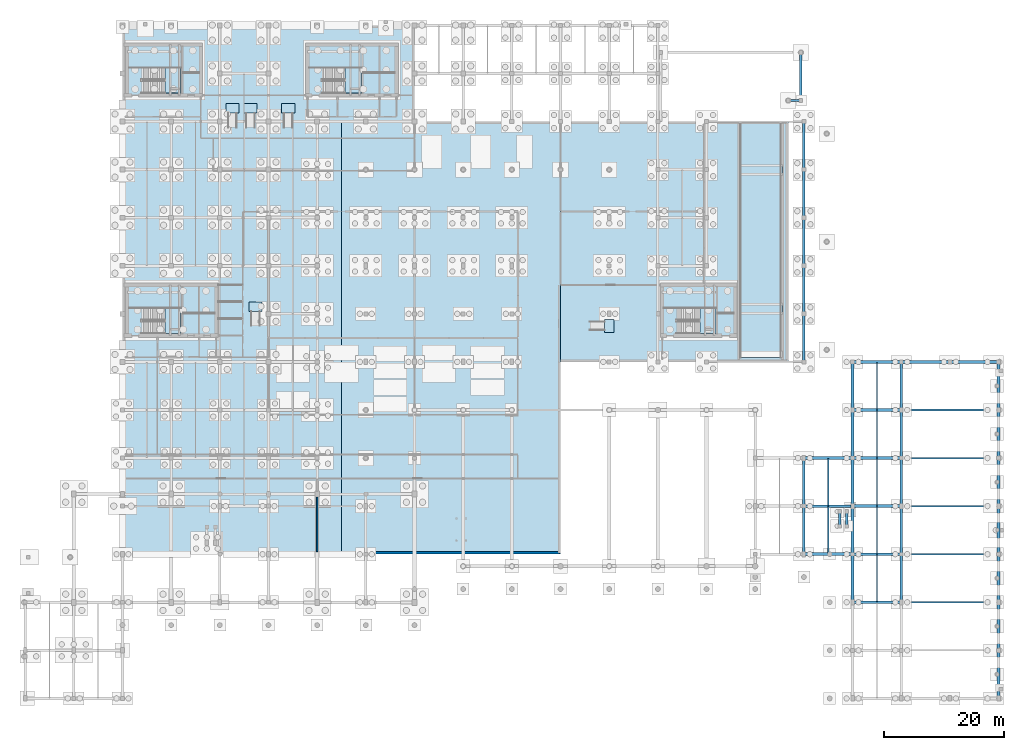
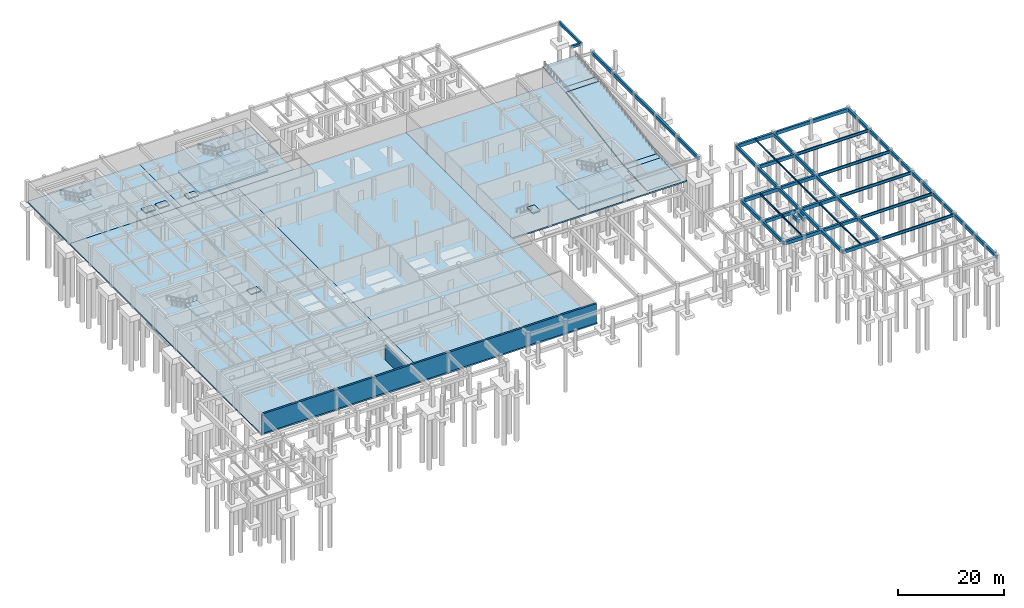
# One storey, part 13 of 25: 51 beams, 23 slabs, 2 walls, 9 elements without a shape of their own.
"""IFC4 building model written with IfcOpenShell, lengths in metres."""

from ifc_helpers import new_model, si_unit, direction, frame, frame_2d, origin, origin_2d, place, context, subcontext, project, spatial, polyline, rectangle, i_section, outline, extrude, material, layer, layer_set, material_profile, profile_set, type_object, element, aggregate, save


model = new_model("IFC4")

# Units and contexts
model_context = context("Model", 3, precision=1e-05, world=origin(), true_north=direction((0.0, 1.0)))
body_context = subcontext(model_context, "Body", "Model", "MODEL_VIEW")
ifc_project = project(units=[si_unit("LENGTHUNIT", "METRE"), si_unit("AREAUNIT", "SQUARE_METRE"), si_unit("VOLUMEUNIT", "CUBIC_METRE"), si_unit("PLANEANGLEUNIT", "RADIAN"), si_unit("MASSUNIT", "GRAM", prefix="KILO")], contexts=[model_context])

# Site, building, storey
site_placement = place(None, origin())
site = spatial("IfcSite", under=ifc_project, at=site_placement, CompositionType="ELEMENT")
building_placement = place(site_placement, origin())
building = spatial("IfcBuilding", under=site, at=building_placement, Name="Tarnveldt Square Police Headquarters", CompositionType="ELEMENT")
storey_placement = place(building_placement, frame((0.0, 0.0, -4.800048828125)))
storey = spatial("IfcBuildingStorey", under=building, at=storey_placement, Name="B1", CompositionType="ELEMENT", Elevation=-4.800048828125)

# Beams
ifc_material_1 = material(Name="Concrete 40 MPa", Category="concrete")
ifc_material_profile_1 = material_profile(ifc_material_1, rectangle(XDim=0.39990234375, YDim=0.60009765625, at=origin_2d()), Name="RC-B400x600")
ifc_profile_set_1 = profile_set([ifc_material_profile_1], Name="Concrete 40 MPa")
beam_type_1 = type_object("IfcBeamType", Name="BM-RC400x600", PredefinedType="BEAM", material=ifc_profile_set_1)
beam_1_placement = place(storey_placement, frame((129.10009765625, 99.5, 4.2099609375), z_axis=(0.0, 1.0, 0.0), x_axis=(-1.0, 0.0, 0.0)))
element("IfcBeam", 1, at=beam_1_placement, inside=storey, type_object=beam_type_1, Name="Apron Support Girder E", PredefinedType="BEAM", context=body_context, shape_type="SweptSolid", body=[
    extrude(rectangle(XDim=0.39990234375, YDim=0.60009765625, at=origin_2d()), origin(), (0.0, 0.0, 1.0), 8.0),
])
beam_2_placement = place(storey_placement, frame((127.0, 99.5, 4.2099609375), z_axis=(1.0, 0.0, 0.0), x_axis=(0.0, 1.0, 0.0)))
element("IfcBeam", 2, at=beam_2_placement, inside=storey, type_object=beam_type_1, Name="Apron Support Girder S", PredefinedType="BEAM", context=body_context, shape_type="SweptSolid", body=[
    extrude(rectangle(XDim=0.39990234375, YDim=0.60009765625, at=origin_2d()), origin(), (0.0, 0.0, 1.0), 2.10009765625),
])
ifc_material_profile_2 = material_profile(ifc_material_1, rectangle(XDim=0.449951171875, YDim=0.75, at=origin_2d()), Name="RC-B450x750")
ifc_profile_set_2 = profile_set([ifc_material_profile_2], Name="Concrete 40 MPa")
beam_type_2 = type_object("IfcBeamType", Name="BM-RC450x750", PredefinedType="BEAM", material=ifc_profile_set_2)
for number, where, z_axis, x_axis, name in (
    (3, (137.699951171875, 16.0, 4.074951171875), (1.0, 0.0, 0.0), (0.0, 1.0, 0.0), "L00 Grid Girder X-0018"),
    (4, (137.699951171875, 24.0, 4.074951171875), (1.0, 0.0, 0.0), (0.0, 1.0, 0.0), "L00 Grid Girder X-0028"),
):
    element("IfcBeam", number, at=place(storey_placement, frame(where, z_axis=z_axis, x_axis=x_axis)), inside=storey, type_object=beam_type_2, Name=name, PredefinedType="BEAM", context=body_context, shape_type="SweptSolid", body=[
        extrude(rectangle(XDim=0.449951171875, YDim=0.75, at=origin_2d()), origin(), (0.0, 0.0, 1.0), 8.10009765625),
    ])
beam_3_placement = place(storey_placement, frame((129.60009765625, 32.0, 4.074951171875), z_axis=(1.0, 0.0, 0.0), x_axis=(0.0, 1.0, 0.0)))
element("IfcBeam", 5, at=beam_3_placement, inside=storey, type_object=beam_type_2, Name="L00 Grid Girder X-0034", PredefinedType="BEAM", context=body_context, shape_type="SweptSolid", body=[
    extrude(rectangle(XDim=0.449951171875, YDim=0.75, at=origin_2d()), origin(), (0.0, 0.0, 1.0), 8.099853515625),
])
for number, where, z_axis, x_axis, name in (
    (6, (137.699951171875, 40.0, 4.074951171875), (1.0, 0.0, 0.0), (0.0, 1.0, 0.0), "L00 Grid Girder X-0050"),
    (7, (137.699951171875, 48.0, 4.074951171875), (1.0, 0.0, 0.0), (0.0, 1.0, 0.0), "L00 Grid Girder X-0062"),
):
    element("IfcBeam", number, at=place(storey_placement, frame(where, z_axis=z_axis, x_axis=x_axis)), inside=storey, type_object=beam_type_2, Name=name, PredefinedType="BEAM", context=body_context, shape_type="SweptSolid", body=[
        extrude(rectangle(XDim=0.449951171875, YDim=0.75, at=origin_2d()), origin(), (0.0, 0.0, 1.0), 8.10009765625),
    ])
beam_4_placement = place(storey_placement, frame((145.800048828125, 56.0, 4.074951171875), z_axis=(1.0, 0.0, 0.0), x_axis=(0.0, 1.0, 0.0)))
element("IfcBeam", 8, at=beam_4_placement, inside=storey, type_object=beam_type_2, Name="L00 Grid Girder X-0070", PredefinedType="BEAM", context=body_context, shape_type="SweptSolid", body=[
    extrude(rectangle(XDim=0.449951171875, YDim=0.75, at=origin_2d()), origin(), (0.0, 0.0, 1.0), 8.099853515625),
])
for number, where, z_axis, x_axis, name in (
    (9, (129.60009765625, 24.0, 4.074951171875), (0.0, 1.0, 0.0), (-1.0, 0.0, 0.0), "L00 Grid Girder Y-0190"),
    (10, (129.60009765625, 32.0, 4.074951171875), (0.0, 1.0, 0.0), (-1.0, 0.0, 0.0), "L00 Grid Girder Y-0191"),
    (11, (129.60009765625, 56.0, 4.074951171875), (0.0, 1.0, 0.0), (-1.0, 0.0, 0.0), "L00 Grid Girder Y-0192"),
    (12, (129.60009765625, 64.0, 4.074951171875), (0.0, 1.0, 0.0), (-1.0, 0.0, 0.0), "L00 Grid Girder Y-0193"),
    (13, (129.60009765625, 72.0, 4.074951171875), (0.0, 1.0, 0.0), (-1.0, 0.0, 0.0), "L00 Grid Girder Y-0194"),
    (14, (129.60009765625, 80.0, 4.074951171875), (0.0, 1.0, 0.0), (-1.0, 0.0, 0.0), "L00 Grid Girder Y-0195"),
    (15, (129.60009765625, 88.0, 4.074951171875), (0.0, 1.0, 0.0), (-1.0, 0.0, 0.0), "L00 Grid Girder Y-0196"),
):
    element("IfcBeam", number, at=place(storey_placement, frame(where, z_axis=z_axis, x_axis=x_axis)), inside=storey, type_object=beam_type_2, Name=name, PredefinedType="BEAM", context=body_context, shape_type="SweptSolid", body=[
        extrude(rectangle(XDim=0.449951171875, YDim=0.75, at=origin_2d()), origin(), (0.0, 0.0, 1.0), 8.0),
    ])
for number, where, z_axis, x_axis, name in (
    (16, (135.550048828125, 28.679931640625, 4.074951171875), (0.0, 1.0, 0.0), (-1.0, 0.0, 0.0), "L00 Grid Girder Y-0197"),
    (17, (136.75, 28.679931640625, 4.074951171875), (0.0, 1.0, 0.0), (-1.0, 0.0, 0.0), "L00 Grid Girder Y-0198"),
):
    element("IfcBeam", number, at=place(storey_placement, frame(where, z_axis=z_axis, x_axis=x_axis)), inside=storey, type_object=beam_type_2, Name=name, PredefinedType="BEAM", context=body_context, shape_type="SweptSolid", body=[
        extrude(rectangle(XDim=0.449951171875, YDim=0.75, at=origin_2d()), origin(), (0.0, 0.0, 1.0), 2.420166015625),
    ])
for number, where, z_axis, x_axis, name in (
    (18, (137.699951171875, 16.0, 4.074951171875), (0.0, 1.0, 0.0), (-1.0, 0.0, 0.0), "L00 Grid Girder Y-0201"),
    (19, (137.699951171875, 24.0, 4.074951171875), (0.0, 1.0, 0.0), (-1.0, 0.0, 0.0), "L00 Grid Girder Y-0202"),
    (20, (137.699951171875, 32.0, 4.074951171875), (0.0, 1.0, 0.0), (-1.0, 0.0, 0.0), "L00 Grid Girder Y-0203"),
    (21, (137.699951171875, 40.0, 4.074951171875), (0.0, 1.0, 0.0), (-1.0, 0.0, 0.0), "L00 Grid Girder Y-0204"),
    (22, (137.699951171875, 48.0, 4.074951171875), (0.0, 1.0, 0.0), (-1.0, 0.0, 0.0), "L00 Grid Girder Y-0205"),
    (23, (145.800048828125, 16.0, 4.074951171875), (0.0, 1.0, 0.0), (-1.0, 0.0, 0.0), "L00 Grid Girder Y-0208"),
    (24, (145.800048828125, 24.0, 4.074951171875), (0.0, 1.0, 0.0), (-1.0, 0.0, 0.0), "L00 Grid Girder Y-0209"),
    (25, (145.800048828125, 32.0, 4.074951171875), (0.0, 1.0, 0.0), (-1.0, 0.0, 0.0), "L00 Grid Girder Y-0210"),
    (26, (145.800048828125, 40.0, 4.074951171875), (0.0, 1.0, 0.0), (-1.0, 0.0, 0.0), "L00 Grid Girder Y-0211"),
    (27, (145.800048828125, 48.0, 4.074951171875), (0.0, 1.0, 0.0), (-1.0, 0.0, 0.0), "L00 Grid Girder Y-0212"),
    (28, (162.0, 0.0, 4.074951171875), (0.0, 1.0, 0.0), (-1.0, 0.0, 0.0), "L00 Grid Girder Y-0213"),
    (29, (162.0, 8.0, 4.074951171875), (0.0, 1.0, 0.0), (-1.0, 0.0, 0.0), "L00 Grid Girder Y-0214"),
    (30, (162.0, 16.0, 4.074951171875), (0.0, 1.0, 0.0), (-1.0, 0.0, 0.0), "L00 Grid Girder Y-0215"),
    (31, (162.0, 24.0, 4.074951171875), (0.0, 1.0, 0.0), (-1.0, 0.0, 0.0), "L00 Grid Girder Y-0216"),
    (32, (162.0, 32.0, 4.074951171875), (0.0, 1.0, 0.0), (-1.0, 0.0, 0.0), "L00 Grid Girder Y-0217"),
    (33, (162.0, 40.0, 4.074951171875), (0.0, 1.0, 0.0), (-1.0, 0.0, 0.0), "L00 Grid Girder Y-0218"),
    (34, (162.0, 48.0, 4.074951171875), (0.0, 1.0, 0.0), (-1.0, 0.0, 0.0), "L00 Grid Girder Y-0219"),
):
    element("IfcBeam", number, at=place(storey_placement, frame(where, z_axis=z_axis, x_axis=x_axis)), inside=storey, type_object=beam_type_2, Name=name, PredefinedType="BEAM", context=body_context, shape_type="SweptSolid", body=[
        extrude(rectangle(XDim=0.449951171875, YDim=0.75, at=origin_2d()), origin(), (0.0, 0.0, 1.0), 8.0),
    ])
ifc_material_profile_3 = material_profile(ifc_material_1, rectangle(XDim=0.5, YDim=0.800048828125, at=origin_2d()), Name="RC-B500x800")
ifc_profile_set_3 = profile_set([ifc_material_profile_3], Name="Concrete 40 MPa")
beam_type_3 = type_object("IfcBeamType", Name="BM-RC500x800", PredefinedType="BEAM", material=ifc_profile_set_3)
beam_5_placement = place(storey_placement, frame((129.60009765625, 24.0, 4.050048828125), z_axis=(1.0, 0.0, 0.0), x_axis=(0.0, 1.0, 0.0)))
element("IfcBeam", 35, at=beam_5_placement, inside=storey, type_object=beam_type_3, Name="L00 Grid Girder X-0027", PredefinedType="BEAM", context=body_context, shape_type="SweptSolid", body=[
    extrude(rectangle(XDim=0.5, YDim=0.800048828125, at=origin_2d()), origin(), (0.0, 0.0, 1.0), 8.099853515625),
])
beam_6_placement = place(storey_placement, frame((137.699951171875, 32.0, 4.050048828125), z_axis=(1.0, 0.0, 0.0), x_axis=(0.0, 1.0, 0.0)))
element("IfcBeam", 36, at=beam_6_placement, inside=storey, type_object=beam_type_3, Name="L00 Grid Girder X-0035", PredefinedType="BEAM", context=body_context, shape_type="SweptSolid", body=[
    extrude(rectangle(XDim=0.5, YDim=0.800048828125, at=origin_2d()), origin(), (0.0, 0.0, 1.0), 8.10009765625),
])
beam_7_placement = place(storey_placement, frame((129.60009765625, 40.0, 4.050048828125), z_axis=(1.0, 0.0, 0.0), x_axis=(0.0, 1.0, 0.0)))
element("IfcBeam", 37, at=beam_7_placement, inside=storey, type_object=beam_type_3, Name="L00 Grid Girder X-0049", PredefinedType="BEAM", context=body_context, shape_type="SweptSolid", body=[
    extrude(rectangle(XDim=0.5, YDim=0.800048828125, at=origin_2d()), origin(), (0.0, 0.0, 1.0), 8.099853515625),
])
for number, where, z_axis, x_axis, name in (
    (38, (137.699951171875, 56.0, 4.050048828125), (1.0, 0.0, 0.0), (0.0, 1.0, 0.0), "L00 Grid Girder X-0069"),
    (39, (153.89990234375, 56.0, 4.050048828125), (1.0, 0.0, 0.0), (0.0, 1.0, 0.0), "L00 Grid Girder X-0071"),
):
    element("IfcBeam", number, at=place(storey_placement, frame(where, z_axis=z_axis, x_axis=x_axis)), inside=storey, type_object=beam_type_3, Name=name, PredefinedType="BEAM", context=body_context, shape_type="SweptSolid", body=[
        extrude(rectangle(XDim=0.5, YDim=0.800048828125, at=origin_2d()), origin(), (0.0, 0.0, 1.0), 8.10009765625),
    ])
ifc_material_2 = material(Name="Steel 350W", Category="steel")
ifc_material_profile_4 = material_profile(ifc_material_2, i_section(OverallWidth=0.202880859375, OverallDepth=0.302978515625, WebThickness=0.007568359375, FlangeThickness=0.01318359375, FilletRadius=0.014892578125, at=origin_2d()), Name="W310x60")
ifc_profile_set_4 = profile_set([ifc_material_profile_4], Name="Steel 350W")
beam_type_4 = type_object("IfcBeamType", Name="BM-W310x60", PredefinedType="JOIST", material=ifc_profile_set_4)
beam_8_placement = place(storey_placement, frame((141.75, 48.080078125, 4.298583984375), z_axis=(0.0, 1.0, 0.0), x_axis=(-1.0, 0.0, 0.0)))
element("IfcBeam", 40, at=beam_8_placement, inside=storey, type_object=beam_type_4, Name="L00 Secondary Floor Joist 0024", PredefinedType="JOIST", context=body_context, shape_type="SweptSolid", body=[
    extrude(i_section(OverallWidth=0.202880859375, OverallDepth=0.302978515625, WebThickness=0.007568359375, FlangeThickness=0.01318359375, FilletRadius=0.014892578125, at=origin_2d()), origin(), (0.0, 0.0, 1.0), 7.83984375),
])
ifc_material_profile_5 = material_profile(ifc_material_2, i_section(OverallWidth=0.202880859375, OverallDepth=0.346923828125, WebThickness=0.0078125, FlangeThickness=0.013427734375, FilletRadius=0.01611328125, at=origin_2d()), Name="W360x64")
ifc_profile_set_5 = profile_set([ifc_material_profile_5], Name="Steel 350W")
beam_type_5 = type_object("IfcBeamType", Name="BM-W360x64", PredefinedType="JOIST", material=ifc_profile_set_5)
for number, where, z_axis, x_axis, name in (
    (41, (141.75, 16.080078125, 4.276611328125), (0.0, 1.0, 0.0), (-1.0, 0.0, 0.0), "L00 Secondary Floor Joist 0007"),
    (42, (141.75, 40.080078125, 4.276611328125), (0.0, 1.0, 0.0), (-1.0, 0.0, 0.0), "L00 Secondary Floor Joist 0019"),
):
    element("IfcBeam", number, at=place(storey_placement, frame(where, z_axis=z_axis, x_axis=x_axis)), inside=storey, type_object=beam_type_5, Name=name, PredefinedType="JOIST", context=body_context, shape_type="SweptSolid", body=[
        extrude(i_section(OverallWidth=0.202880859375, OverallDepth=0.346923828125, WebThickness=0.0078125, FlangeThickness=0.013427734375, FilletRadius=0.01611328125, at=origin_2d()), origin(), (0.0, 0.0, 1.0), 7.83984375),
    ])
ifc_material_profile_6 = material_profile(ifc_material_2, i_section(OverallWidth=0.205078125, OverallDepth=0.35400390625, WebThickness=0.009521484375, FlangeThickness=0.016845703125, FilletRadius=0.01611328125, at=origin_2d()), Name="W360x79")
ifc_profile_set_6 = profile_set([ifc_material_profile_6], Name="Steel 350W")
beam_type_6 = type_object("IfcBeamType", Name="BM-W360x79", PredefinedType="JOIST", material=ifc_profile_set_6)
for number, where, z_axis, x_axis, name in (
    (43, (141.75, 24.080078125, 4.27294921875), (0.0, 1.0, 0.0), (-1.0, 0.0, 0.0), "L00 Secondary Floor Joist 0010"),
    (44, (141.75, 32.080078125, 4.27294921875), (0.0, 1.0, 0.0), (-1.0, 0.0, 0.0), "L00 Secondary Floor Joist 0014"),
):
    element("IfcBeam", number, at=place(storey_placement, frame(where, z_axis=z_axis, x_axis=x_axis)), inside=storey, type_object=beam_type_6, Name=name, PredefinedType="JOIST", context=body_context, shape_type="SweptSolid", body=[
        extrude(i_section(OverallWidth=0.205078125, OverallDepth=0.35400390625, WebThickness=0.009521484375, FlangeThickness=0.016845703125, FilletRadius=0.01611328125, at=origin_2d()), origin(), (0.0, 0.0, 1.0), 7.83984375),
    ])
ifc_material_profile_7 = material_profile(ifc_material_2, i_section(OverallWidth=0.177978515625, OverallDepth=0.406982421875, WebThickness=0.0078125, FlangeThickness=0.0126953125, FilletRadius=0.01611328125, at=origin_2d()), Name="W410x60")
ifc_profile_set_7 = profile_set([ifc_material_profile_7], Name="Steel 350W")
beam_type_7 = type_object("IfcBeamType", Name="BM-W410x60", PredefinedType="JOIST", material=ifc_profile_set_7)
for number, where, z_axis, x_axis, name in (
    (45, (133.64990234375, 24.080078125, 4.24658203125), (0.0, 1.0, 0.0), (-1.0, 0.0, 0.0), "L00 Secondary Floor Joist 0009"),
    (46, (133.64990234375, 32.080078125, 4.24658203125), (0.0, 1.0, 0.0), (-1.0, 0.0, 0.0), "L00 Secondary Floor Joist 0013"),
):
    element("IfcBeam", number, at=place(storey_placement, frame(where, z_axis=z_axis, x_axis=x_axis)), inside=storey, type_object=beam_type_7, Name=name, PredefinedType="JOIST", context=body_context, shape_type="SweptSolid", body=[
        extrude(i_section(OverallWidth=0.177978515625, OverallDepth=0.406982421875, WebThickness=0.0078125, FlangeThickness=0.0126953125, FilletRadius=0.01611328125, at=origin_2d()), origin(), (0.0, 0.0, 1.0), 7.83984375),
    ])
ifc_material_profile_8 = material_profile(ifc_material_2, i_section(OverallWidth=0.25390625, OverallDepth=0.68798828125, WebThickness=0.01318359375, FlangeThickness=0.02099609375, FilletRadius=0.02001953125, at=origin_2d()), Name="W690x152")
ifc_profile_set_8 = profile_set([ifc_material_profile_8], Name="Steel 350W")
beam_type_8 = type_object("IfcBeamType", Name="BM-W690x152", PredefinedType="BEAM", material=ifc_profile_set_8)
for number, where, z_axis, x_axis, name in (
    (47, (145.800048828125, 16.0, 4.10595703125), (1.0, 0.0, 0.0), (0.0, 1.0, 0.0), "L00 Grid Girder X-0019"),
    (48, (145.800048828125, 24.0, 4.10595703125), (1.0, 0.0, 0.0), (0.0, 1.0, 0.0), "L00 Grid Girder X-0029"),
    (49, (145.800048828125, 32.0, 4.10595703125), (1.0, 0.0, 0.0), (0.0, 1.0, 0.0), "L00 Grid Girder X-0036"),
    (50, (145.800048828125, 40.0, 4.10595703125), (1.0, 0.0, 0.0), (0.0, 1.0, 0.0), "L00 Grid Girder X-0051"),
    (51, (145.800048828125, 48.0, 4.10595703125), (1.0, 0.0, 0.0), (0.0, 1.0, 0.0), "L00 Grid Girder X-0063"),
):
    element("IfcBeam", number, at=place(storey_placement, frame(where, z_axis=z_axis, x_axis=x_axis)), inside=storey, type_object=beam_type_8, Name=name, PredefinedType="BEAM", context=body_context, shape_type="SweptSolid", body=[
        extrude(i_section(OverallWidth=0.25390625, OverallDepth=0.68798828125, WebThickness=0.01318359375, FlangeThickness=0.02099609375, FilletRadius=0.02001953125, at=origin_2d()), origin(), (0.0, 0.0, 1.0), 16.199951171875),
    ])

# Slabs
ifc_layer_1 = layer(ifc_material_1, 0.320068359375)
ifc_layer_set_1 = layer_set([ifc_layer_1], Name="Concrete 40 MPa")
slab_type_1 = type_object("IfcSlabType", Name="SL-B1-320", PredefinedType="BASESLAB", material=ifc_layer_set_1)
slab_1_placement = place(storey_placement, frame((0.0, 0.0, -0.320068359375)))
element("IfcSlab", 52, at=slab_1_placement, inside=storey, type_object=slab_type_1, Name="B1 Structural Floor Slab B1-WEST-1", PredefinedType="BASESLAB", context=body_context, shape_type="SweptSolid", body=[
    extrude(outline(polyline([(52.64990234375, 96.0), (52.64990234375, 24.0), (16.199951171875, 24.0), (16.199951171875, 96.0), (52.64990234375, 96.0)])), origin(), (0.0, 0.0, 1.0), 0.320068359375),
])
slab_2_placement = place(storey_placement, frame((0.0, 0.0, -0.320068359375)))
element("IfcSlab", 53, at=slab_2_placement, inside=storey, type_object=slab_type_1, Name="B1 Structural Floor Slab B1-WEST-2", PredefinedType="BASESLAB", context=body_context, shape_type="SweptSolid", body=[
    extrude(outline(polyline([(89.10009765625, 96.0), (89.10009765625, 24.0), (52.64990234375, 24.0), (52.64990234375, 96.0), (89.10009765625, 96.0)])), origin(), (0.0, 0.0, 1.0), 0.320068359375),
])
slab_3_placement = place(storey_placement, frame((0.0, 0.0, -0.320068359375)))
element("IfcSlab", 54, at=slab_3_placement, inside=storey, type_object=slab_type_1, Name="B1 Structural Floor Slab B1-NORTH-1", PredefinedType="BASESLAB", context=body_context, shape_type="SweptSolid", body=[
    extrude(outline(polyline([(16.199951171875, 96.0), (16.199951171875, 112.0), (40.5, 112.0), (40.5, 96.0), (16.199951171875, 96.0)])), origin(), (0.0, 0.0, 1.0), 0.320068359375),
])
slab_4_placement = place(storey_placement, frame((0.0, 0.0, -0.320068359375)))
element("IfcSlab", 55, at=slab_4_placement, inside=storey, type_object=slab_type_1, Name="B1 Structural Floor Slab B1-NORTH-2", PredefinedType="BASESLAB", context=body_context, shape_type="SweptSolid", body=[
    extrude(outline(polyline([(64.800048828125, 96.0), (40.5, 96.0), (40.5, 112.0), (64.800048828125, 112.0), (64.800048828125, 96.0)])), origin(), (0.0, 0.0, 1.0), 0.320068359375),
])
slab_5_placement = place(storey_placement, frame((0.0, 0.0, -0.320068359375)))
element("IfcSlab", 56, at=slab_5_placement, inside=storey, type_object=slab_type_1, Name="B1 Structural Floor Slab B1-NE-1", PredefinedType="BASESLAB", context=body_context, shape_type="SweptSolid", body=[
    extrude(outline(polyline([(89.10009765625, 56.0), (89.10009765625, 96.0), (127.0, 96.0), (127.0, 56.0), (89.10009765625, 56.0)]), holes=[polyline([(118.780029296875, 64.1201171875), (118.780029296875, 56.719970703125), (126.02001953125, 56.719970703125), (126.02001953125, 64.1201171875), (118.780029296875, 64.1201171875)])]), origin(), (0.0, 0.0, 1.0), 0.320068359375),
])

# Stair, slab
stair_type_1 = type_object("IfcStairType", Name="STR-HT-48A", PredefinedType="HALF_TURN_STAIR", material=ifc_material_1)
stair_1_placement = place(storey_placement, origin())
stair_1 = element("IfcStair", 57, at=stair_1_placement, inside=storey, type_object=stair_type_1, Name="B1 Core K1 Exit Stair ST1", PredefinedType="HALF_TURN_STAIR")
ifc_layer_2 = layer(ifc_material_1, 0.179931640625)
ifc_layer_set_2 = layer_set([ifc_layer_2], Name="Concrete 40 MPa")
slab_type_2 = type_object("IfcSlabType", Name="SL-LND-180", PredefinedType="LANDING", material=ifc_layer_set_2)
slab_6_placement = place(storey_placement, frame((0.0, 0.0, 2.199951171875)))
slab_6 = element("IfcSlab", 58, at=slab_6_placement, type_object=slab_type_2, Name="ST1 landing 1", PredefinedType="LANDING", context=body_context, shape_type="SweptSolid", body=[
    extrude(outline(polyline([(23.27001953125, 60.719970703125), (25.969970703125, 60.719970703125), (25.969970703125, 65.02001953125), (23.27001953125, 65.02001953125), (23.27001953125, 60.719970703125)])), origin(), (0.0, 0.0, 1.0), 0.2001953125),
])
aggregate(stair_1, [slab_6])

stair_2_placement = place(storey_placement, origin())
stair_2 = element("IfcStair", 59, at=stair_2_placement, inside=storey, type_object=stair_type_1, Name="B1 Core K2 Exit Stair ST2", PredefinedType="HALF_TURN_STAIR")
slab_7_placement = place(storey_placement, frame((0.0, 0.0, 2.199951171875)))
slab_7 = element("IfcSlab", 60, at=slab_7_placement, type_object=slab_type_2, Name="ST2 landing 1", PredefinedType="LANDING", context=body_context, shape_type="SweptSolid", body=[
    extrude(outline(polyline([(23.27001953125, 100.719970703125), (25.969970703125, 100.719970703125), (25.969970703125, 105.02001953125), (23.27001953125, 105.02001953125), (23.27001953125, 100.719970703125)])), origin(), (0.0, 0.0, 1.0), 0.2001953125),
])
aggregate(stair_2, [slab_7])

stair_3_placement = place(storey_placement, origin())
stair_3 = element("IfcStair", 61, at=stair_3_placement, inside=storey, type_object=stair_type_1, Name="B1 Core K3 Exit Stair ST3", PredefinedType="HALF_TURN_STAIR")
slab_8_placement = place(storey_placement, frame((0.0, 0.0, 2.199951171875)))
slab_8 = element("IfcSlab", 62, at=slab_8_placement, type_object=slab_type_2, Name="ST3 landing 1", PredefinedType="LANDING", context=body_context, shape_type="SweptSolid", body=[
    extrude(outline(polyline([(53.27001953125, 100.719970703125), (55.969970703125, 100.719970703125), (55.969970703125, 105.02001953125), (53.27001953125, 105.02001953125), (53.27001953125, 100.719970703125)])), origin(), (0.0, 0.0, 1.0), 0.2001953125),
])
aggregate(stair_3, [slab_8])

stair_type_2 = type_object("IfcStairType", Name="STR-HT-48B", PredefinedType="HALF_TURN_STAIR", material=ifc_material_1)
stair_4_placement = place(storey_placement, origin())
stair_4 = element("IfcStair", 63, at=stair_4_placement, inside=storey, type_object=stair_type_2, Name="B1 Core K4 Exit Stair ST4", PredefinedType="HALF_TURN_STAIR")
slab_9_placement = place(storey_placement, frame((0.0, 0.0, 2.199951171875)))
slab_9 = element("IfcSlab", 64, at=slab_9_placement, type_object=slab_type_2, Name="ST4 landing 1", PredefinedType="LANDING", context=body_context, shape_type="SweptSolid", body=[
    extrude(outline(polyline([(112.27001953125, 60.719970703125), (114.969970703125, 60.719970703125), (114.969970703125, 65.02001953125), (112.27001953125, 65.02001953125), (112.27001953125, 60.719970703125)])), origin(), (0.0, 0.0, 1.0), 0.2001953125),
])
aggregate(stair_4, [slab_9])

# Ramp, slab
ramp_type = type_object("IfcRampType", Name="RMP-PED-180", PredefinedType="STRAIGHT_RUN_RAMP", material=ifc_material_1)
ramp_1_placement = place(storey_placement, origin())
ramp_1 = element("IfcRamp", 65, at=ramp_1_placement, inside=storey, type_object=ramp_type, Name="Core K1 Accessible Lobby Ramp PR1", PredefinedType="STRAIGHT_RUN_RAMP")
slab_10_placement = place(storey_placement, frame((0.0, 0.0, 0.02001953125)))
slab_10 = element("IfcSlab", 66, at=slab_10_placement, type_object=slab_type_2, Name="Core K1 Accessible Lobby Ramp PR1 landing 1", PredefinedType="LANDING", context=body_context, shape_type="SweptSolid", body=[
    extrude(outline(polyline([(37.25, 64.39990234375), (39.449951171875, 64.39990234375), (39.449951171875, 66.0), (37.25, 66.0), (37.25, 64.39990234375)])), origin(), (0.0, 0.0, 1.0), 0.179931640625),
])
aggregate(ramp_1, [slab_10])

ramp_2_placement = place(storey_placement, origin())
ramp_2 = element("IfcRamp", 67, at=ramp_2_placement, inside=storey, type_object=ramp_type, Name="Core K2 Accessible Lobby Ramp PR2", PredefinedType="STRAIGHT_RUN_RAMP")
slab_11_placement = place(storey_placement, frame((0.0, 0.0, 0.02001953125)))
slab_11 = element("IfcSlab", 68, at=slab_11_placement, type_object=slab_type_2, Name="Core K2 Accessible Lobby Ramp PR2 landing 1", PredefinedType="LANDING", context=body_context, shape_type="SweptSolid", body=[
    extrude(outline(polyline([(33.39990234375, 97.39990234375), (35.60009765625, 97.39990234375), (35.60009765625, 99.0), (33.39990234375, 99.0), (33.39990234375, 97.39990234375)])), origin(), (0.0, 0.0, 1.0), 0.179931640625),
])
aggregate(ramp_2, [slab_11])

ramp_3_placement = place(storey_placement, origin())
ramp_3 = element("IfcRamp", 69, at=ramp_3_placement, inside=storey, type_object=ramp_type, Name="Core K3 Accessible Lobby Ramp PR3", PredefinedType="STRAIGHT_RUN_RAMP")
slab_12_placement = place(storey_placement, frame((0.0, 0.0, 0.02001953125)))
slab_12 = element("IfcSlab", 70, at=slab_12_placement, type_object=slab_type_2, Name="Core K3 Accessible Lobby Ramp PR3 landing 1", PredefinedType="LANDING", context=body_context, shape_type="SweptSolid", body=[
    extrude(outline(polyline([(36.39990234375, 97.39990234375), (38.60009765625, 97.39990234375), (38.60009765625, 99.0), (36.39990234375, 99.0), (36.39990234375, 97.39990234375)])), origin(), (0.0, 0.0, 1.0), 0.179931640625),
])
aggregate(ramp_3, [slab_12])

ramp_4_placement = place(storey_placement, origin())
ramp_4 = element("IfcRamp", 71, at=ramp_4_placement, inside=storey, type_object=ramp_type, Name="Core K4 Accessible Lobby Ramp PR4", PredefinedType="STRAIGHT_RUN_RAMP")
slab_13_placement = place(storey_placement, frame((0.0, 0.0, 0.02001953125)))
slab_13 = element("IfcSlab", 72, at=slab_13_placement, type_object=slab_type_2, Name="Core K4 Accessible Lobby Ramp PR4 landing 1", PredefinedType="LANDING", context=body_context, shape_type="SweptSolid", body=[
    extrude(outline(polyline([(96.39990234375, 60.89990234375), (98.0, 60.89990234375), (98.0, 63.10009765625), (96.39990234375, 63.10009765625), (96.39990234375, 60.89990234375)])), origin(), (0.0, 0.0, 1.0), 0.179931640625),
])
aggregate(ramp_4, [slab_13])

ramp_5_placement = place(storey_placement, origin())
ramp_5 = element("IfcRamp", 73, at=ramp_5_placement, inside=storey, type_object=ramp_type, Name="Core K3 South Lobby Ramp PR5", PredefinedType="STRAIGHT_RUN_RAMP")
slab_14_placement = place(storey_placement, frame((0.0, 0.0, 0.02001953125)))
slab_14 = element("IfcSlab", 74, at=slab_14_placement, type_object=slab_type_2, Name="Core K3 South Lobby Ramp PR5 landing 1", PredefinedType="LANDING", context=body_context, shape_type="SweptSolid", body=[
    extrude(outline(polyline([(42.699951171875, 97.39990234375), (44.89990234375, 97.39990234375), (44.89990234375, 99.0), (42.699951171875, 99.0), (42.699951171875, 97.39990234375)])), origin(), (0.0, 0.0, 1.0), 0.179931640625),
])
aggregate(ramp_5, [slab_14])

# Slabs
ifc_material_3 = material(Name="Concrete 45 MPa", Category="concrete")
ifc_layer_3 = layer(ifc_material_3, 0.360107421875)
ifc_layer_set_3 = layer_set([ifc_layer_3], Name="Concrete 45 MPa")
slab_type_3 = type_object("IfcSlabType", Name="SL-PIT-360", PredefinedType="BASESLAB", material=ifc_layer_set_3)
slab_15_placement = place(storey_placement, frame((0.0, 0.0, -2.22998046875)))
element("IfcSlab", 75, at=slab_15_placement, inside=storey, type_object=slab_type_3, Name="Core K1 South-West Command and Firefighting Core Elevator Pit Base Slab", PredefinedType="BASESLAB", context=body_context, shape_type="SweptSolid", body=[
    extrude(outline(polyline([(17.0, 60.39990234375), (31.800048828125, 60.39990234375), (31.800048828125, 68.800048828125), (17.0, 68.800048828125), (17.0, 60.39990234375)])), origin(), (0.0, 0.0, 1.0), 0.360107421875),
])
slab_16_placement = place(storey_placement, frame((0.0, 0.0, -2.179931640625)))
element("IfcSlab", 76, at=slab_16_placement, inside=storey, type_object=slab_type_3, Name="Core K2 North-West Operations Core Elevator Pit Base Slab", PredefinedType="BASESLAB", context=body_context, shape_type="SweptSolid", body=[
    extrude(outline(polyline([(17.0, 100.39990234375), (29.199951171875, 100.39990234375), (29.199951171875, 108.800048828125), (17.0, 108.800048828125), (17.0, 100.39990234375)])), origin(), (0.0, 0.0, 1.0), 0.35986328125),
])
slab_17_placement = place(storey_placement, frame((0.0, 0.0, -2.22998046875)))
element("IfcSlab", 77, at=slab_17_placement, inside=storey, type_object=slab_type_3, Name="Core K3 North-Central Forensic and Firefighting Core Elevator Pit Base Slab", PredefinedType="BASESLAB", context=body_context, shape_type="SweptSolid", body=[
    extrude(outline(polyline([(47.0, 100.39990234375), (61.800048828125, 100.39990234375), (61.800048828125, 108.800048828125), (47.0, 108.800048828125), (47.0, 100.39990234375)])), origin(), (0.0, 0.0, 1.0), 0.360107421875),
])
slab_18_placement = place(storey_placement, frame((0.0, 0.0, -2.179931640625)))
element("IfcSlab", 78, at=slab_18_placement, inside=storey, type_object=slab_type_3, Name="Core K4 East Custody and Tactical Core Elevator Pit Base Slab", PredefinedType="BASESLAB", context=body_context, shape_type="SweptSolid", body=[
    extrude(outline(polyline([(106.0, 60.39990234375), (118.199951171875, 60.39990234375), (118.199951171875, 68.800048828125), (106.0, 68.800048828125), (106.0, 60.39990234375)])), origin(), (0.0, 0.0, 1.0), 0.35986328125),
])
ifc_layer_4 = layer(ifc_material_1, 0.260009765625)
ifc_layer_set_4 = layer_set([ifc_layer_4], Name="Concrete 40 MPa")
slab_type_4 = type_object("IfcSlabType", Name="SL-VR1-260", PredefinedType="FLOOR", material=ifc_layer_set_4)
slab_19_placement = place(storey_placement, frame((118.780029296875, 56.719970703125, 0.0), z_axis=(0.0, -0.081045163163, 0.996710430129), x_axis=(1.0, 0.0, 0.0)))
element("IfcSlab", 79, at=slab_19_placement, inside=storey, type_object=slab_type_4, Name="Basement Two-Way Vehicle Ramp VR1 Lower Transition Flight 1", PredefinedType="FLOOR", context=body_context, shape_type="SweptSolid", body=[
    extrude(outline(polyline([(0.0, 0.0), (7.239990234375, 0.0), (7.239990234375, 7.404484522320162), (0.0, 7.404484522320162), (0.0, 0.0)])), origin(), (0.0, 0.0, -1.0), 0.260009765625),
])
slab_20_placement = place(storey_placement, frame((118.780029296875, 65.6201171875, 0.60009765625), z_axis=(0.0, -0.164690588102, 0.986345279398), x_axis=(1.0, 0.0, 0.0)))
element("IfcSlab", 80, at=slab_20_placement, inside=storey, type_object=slab_type_4, Name="Basement Two-Way Vehicle Ramp VR1 Main Sloped Flight 2", PredefinedType="FLOOR", context=body_context, shape_type="SweptSolid", body=[
    extrude(outline(polyline([(0.0, 0.0), (7.239990234375, 0.0), (7.239990234375, 21.858283203104847), (0.0, 21.858283203104847), (0.0, 0.0)])), origin(), (0.0, 0.0, -1.0), 0.260009765625),
])
slab_21_placement = place(storey_placement, frame((118.780029296875, 88.699951171875, 4.199951171875), z_axis=(0.0, -0.082152033607, 0.996619808841), x_axis=(1.0, 0.0, 0.0)))
element("IfcSlab", 81, at=slab_21_placement, inside=storey, type_object=slab_type_4, Name="Basement Two-Way Vehicle Ramp VR1 Upper Grade Portal Flight 3", PredefinedType="FLOOR", context=body_context, shape_type="SweptSolid", body=[
    extrude(outline(polyline([(0.0, 0.0), (7.239990234375, 0.0), (7.239990234375, 7.304720649032038), (0.0, 7.304720649032038), (0.0, 0.0)])), origin(), (0.0, 0.0, -1.0), 0.260009765625),
])
ifc_layer_5 = layer(ifc_material_1, 0.260009765625)
ifc_layer_set_5 = layer_set([ifc_layer_5], Name="Concrete 40 MPa")
slab_type_5 = type_object("IfcSlabType", Name="SL-VR1L-260", PredefinedType="FLOOR", material=ifc_layer_set_5)
slab_22_placement = place(storey_placement, frame((0.0, 0.0, 0.340087890625)))
element("IfcSlab", 82, at=slab_22_placement, inside=storey, type_object=slab_type_5, Name="Basement Two-Way Vehicle Ramp VR1 Intermediate Landing 1", PredefinedType="FLOOR", context=body_context, shape_type="SweptSolid", body=[
    extrude(outline(polyline([(118.780029296875, 64.1201171875), (126.02001953125, 64.1201171875), (126.02001953125, 65.60009765625), (118.780029296875, 65.60009765625), (118.780029296875, 64.1201171875)])), origin(), (0.0, 0.0, 1.0), 0.260009765625),
])
slab_23_placement = place(storey_placement, frame((0.0, 0.0, 3.93994140625)))
element("IfcSlab", 83, at=slab_23_placement, inside=storey, type_object=slab_type_5, Name="Basement Two-Way Vehicle Ramp VR1 Intermediate Landing 2", PredefinedType="FLOOR", context=body_context, shape_type="SweptSolid", body=[
    extrude(outline(polyline([(118.780029296875, 87.199951171875), (126.02001953125, 87.199951171875), (126.02001953125, 88.679931640625), (118.780029296875, 88.679931640625), (118.780029296875, 87.199951171875)])), origin(), (0.0, 0.0, 1.0), 0.260009765625),
])

# Walls
ifc_material_4 = material(Name="Concrete block masonry 15 MPa", Category="masonry")
ifc_layer_6 = layer(ifc_material_4, 0.239990234375)
ifc_layer_set_6 = layer_set([ifc_layer_6], Name="Concrete block masonry 15 MPa")
wall_type_1 = type_object("IfcWallType", Name="WL-FIRE-240", PredefinedType="PARTITIONING", material=ifc_layer_set_6)
wall_1_placement = place(storey_placement, frame((48.60009765625, 24.427978515625, 0.0), z_axis=(0.0, 0.0, 1.0), x_axis=(0.0, 1.0, 0.0)))
element("IfcWall", 84, at=wall_1_placement, inside=storey, type_object=wall_type_1, Name="B1 Interior Partition Wall 0073", PredefinedType="PARTITIONING", context=body_context, shape_type="SweptSolid", body=[
    extrude(rectangle(XDim=9.06396484375, YDim=0.239990234375, at=frame_2d((4.531982421875, 0.0))), origin(), (0.0, 0.0, 1.0), 3.241943359375),
])
ifc_layer_7 = layer(ifc_material_1, 0.419921875)
ifc_layer_set_7 = layer_set([ifc_layer_7], Name="Concrete 40 MPa")
wall_type_2 = type_object("IfcWallType", Name="WL-RET-420", PredefinedType="USERDEFINED", material=ifc_layer_set_7)
wall_2_placement = place(storey_placement, frame((88.889892578125, 24.2099609375, 0.0), z_axis=(0.0, 0.0, 1.0), x_axis=(-1.0, 0.0, 0.0)))
element("IfcWall", 85, at=wall_2_placement, inside=storey, type_object=wall_type_2, Name="Basement Perimeter Retaining Wall 01", ObjectType="RETAINING WALL", PredefinedType="USERDEFINED", context=body_context, shape_type="SweptSolid", body=[
    extrude(rectangle(XDim=72.47998046875, YDim=0.419921875, at=frame_2d((36.239990234375, 0.0))), origin(), (0.0, 0.0, 1.0), 4.449951171875),
])

save(model, "model.ifc")
